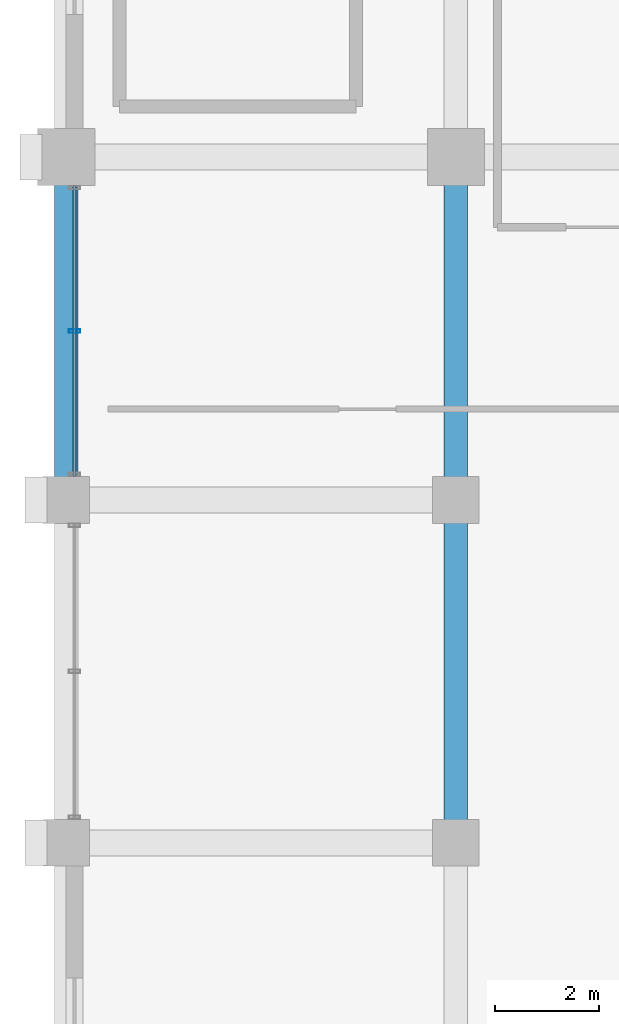
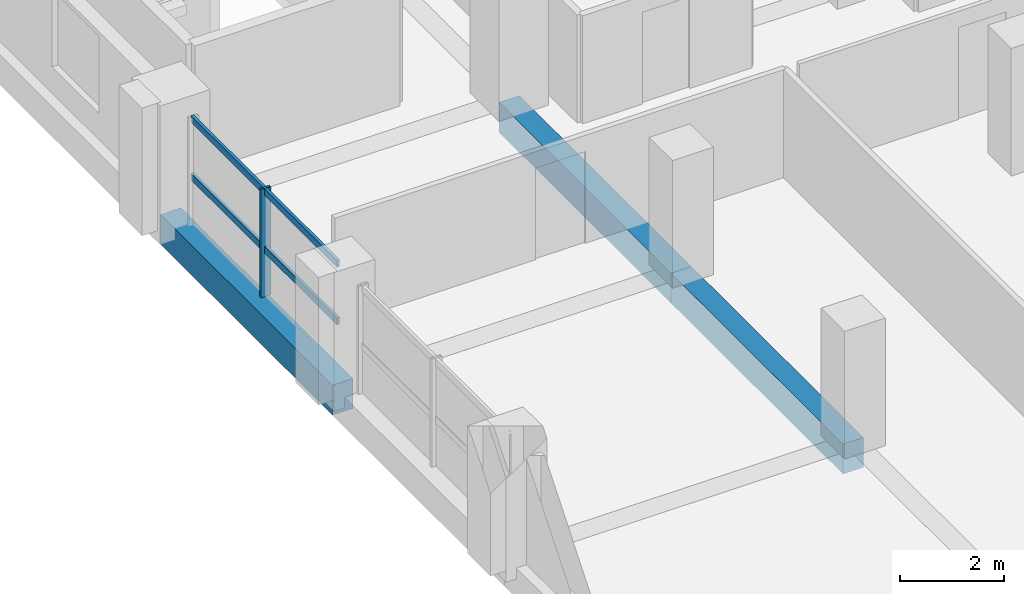
# One storey, part 5 of 21: 3 beams, 3 members, 1 element without a shape of its own.
"""IFC4 building model written with IfcOpenShell, lengths in metres."""

import ifcopenshell
import ifcopenshell.guid

model = None  # the IFC model being written
_history = None  # IfcOwnerHistory: only IFC2X3 demands one
_inside = {}  # id of a spatial element -> (the spatial element, [elements in it])
_under = {}  # id of a project, library or spatial element -> (it, [spatial elements below it])
_declared = {}  # id of a project -> (the project, [libraries it declares])
_typed = {}  # id of a type object -> (the type object, [elements of that type])
_made_of = {}  # id of a material, layer set ... -> (it, [elements and type objects made of it])


def new_model(schema):
    """Start an empty IFC model of exactly this schema.

    Asked for "IFC4X3", IfcOpenShell would pick the latest addendum, in which some entities
    have other attributes; the version numbers below select the first issue.
    IFC2X3 requires an IfcOwnerHistory on every rooted entity: one is made here for all.
    """
    global model, _history
    if schema == "IFC4X3":
        model = ifcopenshell.file(schema_version=(4, 3, 0, 0))
    else:
        model = ifcopenshell.file(schema=schema)
    _inside.clear()
    _under.clear()
    _declared.clear()
    _typed.clear()
    _made_of.clear()
    _history = None
    if model.schema == "IFC2X3":
        org = make("IfcOrganization", Name="unknown")
        user = make(
            "IfcPersonAndOrganization",
            ThePerson=make("IfcPerson", FamilyName="unknown"),
            TheOrganization=org,
        )
        app = make(
            "IfcApplication",
            ApplicationDeveloper=org,
            Version="unknown",
            ApplicationFullName="unknown",
            ApplicationIdentifier="unknown",
        )
        _history = make(
            "IfcOwnerHistory",
            OwningUser=user,
            OwningApplication=app,
            ChangeAction="ADDED",
            CreationDate=0,
        )
    return model


def make(cls, **values):
    """One entity of the class cls with the attributes given. An attribute that is None is left unset."""
    return model.create_entity(
        cls, **{name: value for name, value in values.items() if value is not None}
    )


def rooted(cls, **values):
    """An entity with a GlobalId (a new one), such as an element, a storey or a relation."""
    return make(cls, GlobalId=ifcopenshell.guid.new(), OwnerHistory=_history, **values)


def si_unit(unit_type, name, prefix=None):
    """IfcSIUnit, for example si_unit("LENGTHUNIT", "METRE", prefix="MILLI")."""
    return make("IfcSIUnit", UnitType=unit_type, Prefix=prefix, Name=name)


def assignment(units):
    """IfcUnitAssignment: the units of a project."""
    return None if units is None else make("IfcUnitAssignment", Units=units)


def point(xyz):
    """IfcCartesianPoint."""
    return None if xyz is None else make("IfcCartesianPoint", Coordinates=xyz)


def direction(xyz):
    """IfcDirection."""
    return None if xyz is None else make("IfcDirection", DirectionRatios=xyz)


def frame(location, z_axis=None, x_axis=None):
    """IfcAxis2Placement3D, a coordinate frame: its origin and axes. An axis left out is left unset."""
    return make(
        "IfcAxis2Placement3D",
        Location=point(location),
        Axis=direction(z_axis),
        RefDirection=direction(x_axis),
    )


def frame_2d(location, x_axis=None):
    """IfcAxis2Placement2D, a coordinate frame in the plane: its origin and x axis."""
    return make(
        "IfcAxis2Placement2D", Location=point(location), RefDirection=direction(x_axis)
    )


def origin():
    """The frame at (0, 0, 0) with its axes left unset."""
    return frame((0.0, 0.0, 0.0))


def origin_2d():
    """The frame at (0, 0) in the plane with its x axis left unset."""
    return frame_2d((0.0, 0.0))


def place(relative_to, where):
    """IfcLocalPlacement: puts the frame where relative to a parent placement (None: the world)."""
    return make(
        "IfcLocalPlacement", PlacementRelTo=relative_to, RelativePlacement=where
    )


def context(
    kind, dimensions, precision=None, world=None, true_north=None, identifier=None
):
    """IfcGeometricRepresentationContext, for example the 3D "Model" context."""
    return make(
        "IfcGeometricRepresentationContext",
        ContextIdentifier=identifier,
        ContextType=kind,
        CoordinateSpaceDimension=dimensions,
        Precision=precision,
        WorldCoordinateSystem=world,
        TrueNorth=true_north,
    )


def subcontext(parent, identifier, kind, view, scale=None):
    """IfcGeometricRepresentationSubContext, for example "Body" below "Model"."""
    return make(
        "IfcGeometricRepresentationSubContext",
        ContextIdentifier=identifier,
        ContextType=kind,
        ParentContext=parent,
        TargetScale=scale,
        TargetView=view,
    )


def project(units=None, contexts=None):
    """IfcProject with its units and contexts."""
    return rooted(
        "IfcProject",
        Name="project",
        RepresentationContexts=contexts,
        UnitsInContext=assignment(units),
    )


def spatial(cls, under=None, at=None, **own):
    """A site, building, storey or space (cls), placed at a placement, below another one or the project."""
    s = rooted(cls, ObjectPlacement=at, **own)
    if under is not None:
        _under.setdefault(under.id(), (under, []))[1].append(s)
    return s


def profile(cls, at=None, kind="AREA", **sizes):
    """A parametric profile (cls). Its sizes go by their IFC names, for example OverallWidth=200.0."""
    return make(cls, ProfileType=kind, Position=at, **sizes)


def rectangle(**sizes):
    """IfcRectangleProfileDef."""
    return profile("IfcRectangleProfileDef", **sizes)


def hollow_rectangle(**sizes):
    """IfcRectangleHollowProfileDef."""
    return profile("IfcRectangleHollowProfileDef", **sizes)


def extrude(swept, where, along, depth):
    """IfcExtrudedAreaSolid: the profile swept, set in the frame where, extruded along a direction by depth."""
    return make(
        "IfcExtrudedAreaSolid",
        SweptArea=swept,
        Position=where,
        ExtrudedDirection=direction(along),
        Depth=depth,
    )


def shape(context_of_items, identifier, shape_type, items):
    """IfcShapeRepresentation: the items that make up one representation, for example the "Body"."""
    return make(
        "IfcShapeRepresentation",
        ContextOfItems=context_of_items,
        RepresentationIdentifier=identifier,
        RepresentationType=shape_type,
        Items=items,
    )


def material(Name=None, Category=None):
    """IfcMaterial."""
    return make("IfcMaterial", Name=Name, Category=Category)


def material_profile(
    of_material, cross_section, Name=None, Category=None, Priority=None
):
    """IfcMaterialProfile: a cross section and its material."""
    return make(
        "IfcMaterialProfile",
        Name=Name,
        Material=of_material,
        Profile=cross_section,
        Priority=Priority,
        Category=Category,
    )


def profile_set(profiles, Name=None, composite=None):
    """IfcMaterialProfileSet."""
    return make(
        "IfcMaterialProfileSet",
        Name=Name,
        MaterialProfiles=profiles,
        CompositeProfile=composite,
    )


def made_of(thing, what):
    """Note that an element or type object is made of a material, layer set ...; save() writes the relation."""
    if what is not None:
        _made_of.setdefault(what.id(), (what, []))[1].append(thing)
    return thing


def type_object(cls, material=None, **own):
    """A type object (cls), such as IfcWallType, which elements share."""
    return made_of(rooted(cls, **own), material)


def element(
    cls,
    number,
    at=None,
    inside=None,
    cuts=None,
    type_object=None,
    material=None,
    context=None,
    identifier="Body",
    shape_type=None,
    held_by="IfcProductDefinitionShape",
    body=None,
    shapes=None,
    **own,
):
    """One element of the class cls, such as IfcWall. Its Tag is "e" and its number.

    at: its placement. inside: the storey or other place that contains it. cuts: it is an
    opening in that element (IfcRelVoidsElement). A single representation is given by context,
    identifier, shape_type and body (its items); several are given by shapes. held_by: the class
    of the entity that holds the representations. save() writes the other relations.
    """
    e = rooted(cls, Tag="e%d" % number, ObjectPlacement=at, **own)
    if body is not None:
        shapes = [shape(context, identifier, shape_type, body)]
    if shapes is not None:
        e.Representation = make(held_by, Representations=shapes)
    if inside is not None:
        _inside.setdefault(inside.id(), (inside, []))[1].append(e)
    if cuts is not None:
        rooted(
            "IfcRelVoidsElement", RelatingBuildingElement=cuts, RelatedOpeningElement=e
        )
    if type_object is not None:
        _typed.setdefault(type_object.id(), (type_object, []))[1].append(e)
    return made_of(e, material)


def aggregate(whole, parts):
    """IfcRelAggregates: a whole, such as a stair, and the parts it consists of."""
    return rooted("IfcRelAggregates", RelatingObject=whole, RelatedObjects=parts)


def save(model, path):
    """Write the relations noted so far, then the file.

    IfcRelAggregates (storeys below a building ...), IfcRelContainedInSpatialStructure (elements
    in a storey), IfcRelDefinesByType, IfcRelAssociatesMaterial and IfcRelDeclares: one each for
    every whole, place, type object, material and project.
    """
    for whole, parts in _under.values():
        aggregate(whole, parts)
    for where, things in _inside.values():
        rooted(
            "IfcRelContainedInSpatialStructure",
            RelatedElements=things,
            RelatingStructure=where,
        )
    for kind, things in _typed.values():
        rooted("IfcRelDefinesByType", RelatedObjects=things, RelatingType=kind)
    for what, things in _made_of.values():
        rooted("IfcRelAssociatesMaterial", RelatedObjects=things, RelatingMaterial=what)
    for by, libraries in _declared.values():
        rooted("IfcRelDeclares", RelatingContext=by, RelatedDefinitions=libraries)
    model.write(path)


model = new_model("IFC4")

# Units and contexts
model_context = context("Model", 3, precision=1e-05, world=origin(), true_north=direction((0.0, 1.0)))
body_context = subcontext(model_context, "Body", "Model", "MODEL_VIEW")
ifc_project = project(units=[si_unit("LENGTHUNIT", "METRE"), si_unit("AREAUNIT", "SQUARE_METRE"), si_unit("VOLUMEUNIT", "CUBIC_METRE"), si_unit("PLANEANGLEUNIT", "RADIAN"), si_unit("MASSUNIT", "GRAM", prefix="KILO")], contexts=[model_context])

# Site, building, storey
site_placement = place(None, origin())
site = spatial("IfcSite", under=ifc_project, at=site_placement, CompositionType="ELEMENT")
building_placement = place(site_placement, origin())
building = spatial("IfcBuilding", under=site, at=building_placement, Name="Akrevak Sports Hall", CompositionType="ELEMENT")
storey_placement = place(building_placement, frame((0.0, 0.0, 27.550048828125)))
storey = spatial("IfcBuildingStorey", under=building, at=storey_placement, Name="L05", CompositionType="ELEMENT", Elevation=27.550048828125)

# Curtain wall, members
ifc_material_1 = material(Name="Anodized Bronze Aluminium & Low-E Glass", Category="aluminium")
curtain_wall_type = type_object("IfcCurtainWallType", Name="ARC-CW-TWR-68x30", PredefinedType="NOTDEFINED", material=ifc_material_1)
curtain_wall_placement = place(storey_placement, origin())
curtain_wall = element("IfcCurtainWall", 1, at=curtain_wall_placement, inside=storey, type_object=curtain_wall_type, Name="Curtain Wall CW-L05-W30", PredefinedType="NOTDEFINED")
ifc_material_2 = material(Name="Anodized Bronze Aluminium", Category="aluminium")
ifc_material_profile_1 = material_profile(ifc_material_2, hollow_rectangle(XDim=0.06494140625, YDim=0.219970703125, WallThickness=0.00439453125, at=origin_2d()), Name="CWM 65x220", Category="aluminium")
ifc_profile_set_1 = profile_set([ifc_material_profile_1], Name="Anodized Bronze Aluminium")
member_type_1 = type_object("IfcMemberType", Name="ARC-CWM-70x160", PredefinedType="MULLION", material=ifc_profile_set_1)
member_1_placement = place(storey_placement, frame((45.159912109375, 51.85009765625, 0.0), z_axis=(0.0, 0.0, 1.0), x_axis=(0.0, -1.0, 0.0)))
member_1 = element("IfcMember", 2, at=member_1_placement, type_object=member_type_1, Name="Curtain Wall Mullion CW-L05-W30-M2", PredefinedType="MULLION", context=body_context, shape_type="SweptSolid", body=[
    extrude(hollow_rectangle(XDim=0.06494140625, YDim=0.219970703125, WallThickness=0.00439453125, at=origin_2d()), origin(), (0.0, 0.0, 1.0), 2.530029296875),
])
ifc_material_profile_2 = material_profile(ifc_material_2, hollow_rectangle(XDim=0.06494140625, YDim=0.159912109375, WallThickness=0.00390625, at=origin_2d()), Name="CWT 65x160", Category="aluminium")
ifc_profile_set_2 = profile_set([ifc_material_profile_2], Name="Anodized Bronze Aluminium")
member_type_2 = type_object("IfcMemberType", Name="ARC-CWT-70x130", PredefinedType="USERDEFINED", material=ifc_profile_set_2)
member_2_placement = place(storey_placement, frame((45.159912109375, 54.64990234375, 1.099853515625), z_axis=(0.0, -1.0, 0.0), x_axis=(1.0, 0.0, 0.0)))
member_2 = element("IfcMember", 3, at=member_2_placement, type_object=member_type_2, Name="Curtain Wall Transom CW-L05-W30-T1", ObjectType="TRANSOM", PredefinedType="USERDEFINED", context=body_context, shape_type="SweptSolid", body=[
    extrude(hollow_rectangle(XDim=0.06494140625, YDim=0.159912109375, WallThickness=0.00390625, at=origin_2d()), origin(), (0.0, 0.0, 1.0), 5.599853515625),
])
member_3_placement = place(storey_placement, frame((45.159912109375, 54.64990234375, 2.449951171875), z_axis=(0.0, -1.0, 0.0), x_axis=(1.0, 0.0, 0.0)))
member_3 = element("IfcMember", 4, at=member_3_placement, type_object=member_type_2, Name="Curtain Wall Transom CW-L05-W30-T2", ObjectType="TRANSOM", PredefinedType="USERDEFINED", context=body_context, shape_type="SweptSolid", body=[
    extrude(hollow_rectangle(XDim=0.06494140625, YDim=0.159912109375, WallThickness=0.00390625, at=origin_2d()), origin(), (0.0, 0.0, 1.0), 5.599853515625),
])
aggregate(curtain_wall, [member_1, member_2, member_3])

# Beams
ifc_material_3 = material(Name="Concrete C40/50", Category="concrete")
ifc_material_profile_3 = material_profile(ifc_material_3, rectangle(XDim=0.449951171875, YDim=0.699951171875, at=origin_2d()), Name="BM 450x700", Category="concrete")
ifc_profile_set_3 = profile_set([ifc_material_profile_3], Name="Concrete C40/50")
beam_type = type_object("IfcBeamType", Name="STR-BM-RC450x700", PredefinedType="BEAM", material=ifc_profile_set_3)
beam_1_placement = place(storey_placement, frame((45.0, 48.60009765625, -0.35009765625), z_axis=(0.0, 1.0, 0.0), x_axis=(-1.0, 0.0, 0.0)))
element("IfcBeam", 5, at=beam_1_placement, inside=storey, type_object=beam_type, Name="Girder 7/H-I (L05)", PredefinedType="BEAM", context=body_context, shape_type="SweptSolid", body=[
    extrude(rectangle(XDim=0.449951171875, YDim=0.699951171875, at=origin_2d()), origin(), (0.0, 0.0, 1.0), 6.599853515625),
])
beam_2_placement = place(storey_placement, frame((52.5, 42.0, -0.35009765625), z_axis=(0.0, 1.0, 0.0), x_axis=(-1.0, 0.0, 0.0)))
element("IfcBeam", 6, at=beam_2_placement, inside=storey, type_object=beam_type, Name="Girder 8/G-H (L05)", PredefinedType="BEAM", context=body_context, shape_type="SweptSolid", body=[
    extrude(rectangle(XDim=0.449951171875, YDim=0.699951171875, at=origin_2d()), origin(), (0.0, 0.0, 1.0), 6.60009765625),
])
beam_3_placement = place(storey_placement, frame((52.5, 48.60009765625, -0.35009765625), z_axis=(0.0, 1.0, 0.0), x_axis=(-1.0, 0.0, 0.0)))
element("IfcBeam", 7, at=beam_3_placement, inside=storey, type_object=beam_type, Name="Girder 8/H-I (L05)", PredefinedType="BEAM", context=body_context, shape_type="SweptSolid", body=[
    extrude(rectangle(XDim=0.449951171875, YDim=0.699951171875, at=origin_2d()), origin(), (0.0, 0.0, 1.0), 6.599853515625),
])

save(model, "model.ifc")
